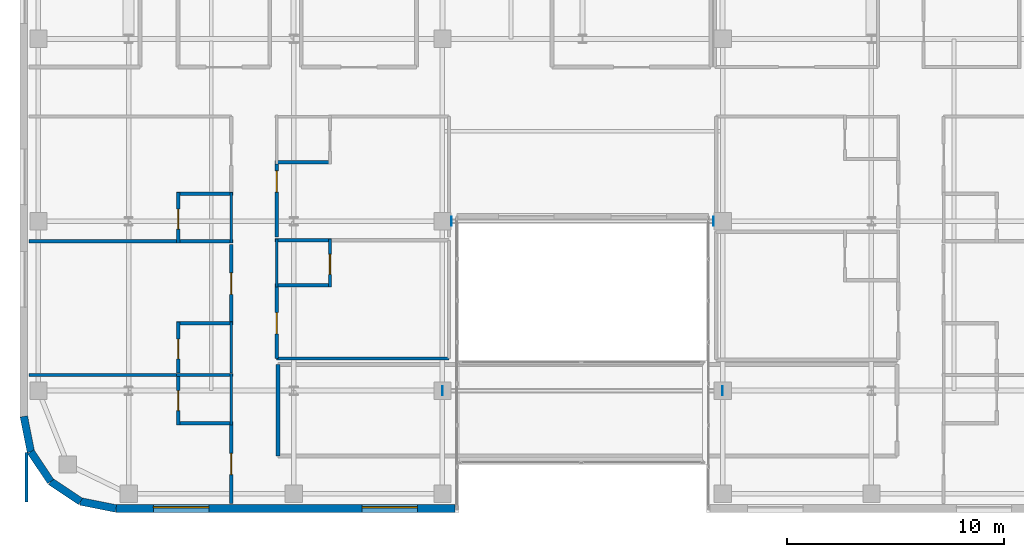
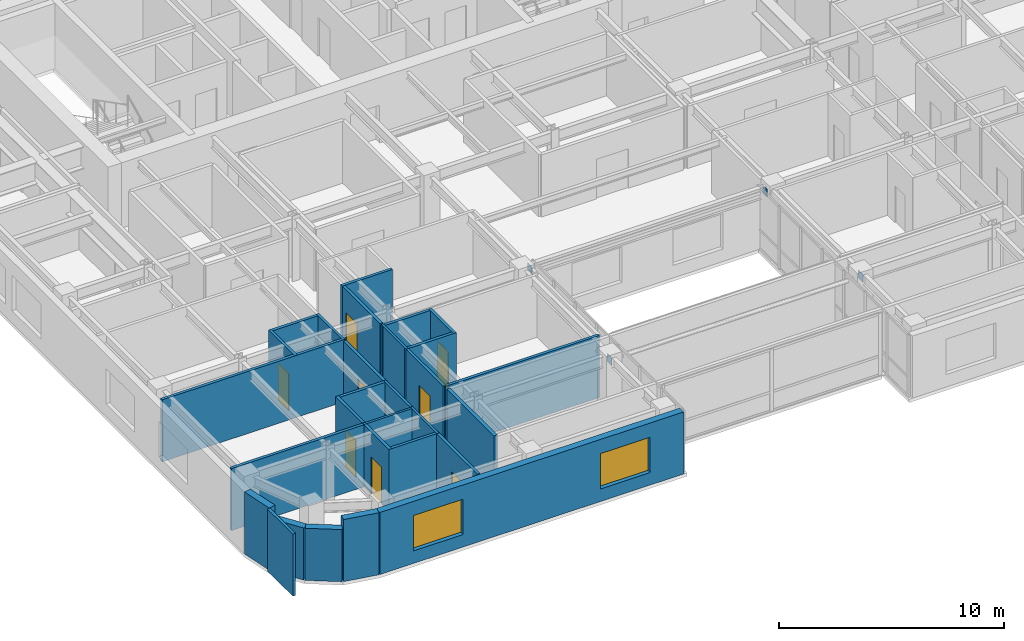
# One storey, part 13 of 20: 29 walls, 8 doors, 4 plates, 2 windows, 10 openings.
"""IFC4 building model written with IfcOpenShell, lengths in metres."""

from ifc_helpers import new_model, si_unit, direction, frame, frame_2d, origin, origin_2d, place, context, subcontext, project, spatial, rectangle, extrude, source, transform, mapped, material, layer, layer_set, type_object, type_shapes, element, fill, save


model = new_model("IFC4")

# Units and contexts
model_context = context("Model", 3, precision=1e-05, world=origin(), true_north=direction((0.0, 1.0)))
body_context = subcontext(model_context, "Body", "Model", "MODEL_VIEW")
ifc_project = project(units=[si_unit("LENGTHUNIT", "METRE"), si_unit("AREAUNIT", "SQUARE_METRE"), si_unit("VOLUMEUNIT", "CUBIC_METRE"), si_unit("PLANEANGLEUNIT", "RADIAN"), si_unit("MASSUNIT", "GRAM", prefix="KILO")], contexts=[model_context])

# Site, building, storey
site_placement = place(None, origin())
site = spatial("IfcSite", under=ifc_project, at=site_placement, CompositionType="ELEMENT")
building_placement = place(site_placement, origin())
building = spatial("IfcBuilding", under=site, at=building_placement, Name="Tolvann Quenvar Hotel", CompositionType="ELEMENT")
storey_placement = place(building_placement, frame((0.0, 0.0, 171.89990234375)))
storey = spatial("IfcBuildingStorey", under=building, at=storey_placement, Name="L45", CompositionType="ELEMENT", Elevation=171.89990234375)

# Plates
ifc_material_1 = material(Name="Steel Grade 350", Category="steel")
ifc_layer_1 = layer(ifc_material_1, 0.02490234375)
ifc_layer_set_1 = layer_set([ifc_layer_1], Name="Steel Grade 350")
plate_type = type_object("IfcPlateType", Name="PLT_ENDCAP_25", PredefinedType="SHEET", material=ifc_layer_set_1)
shared_shape_1 = source(origin(), body_context, "Body", "SweptSolid", [
    extrude(rectangle(XDim=0.02490234375, YDim=0.419921875, at=origin_2d()), origin(), (0.0, 0.0, 1.0), 0.419921875),
])
type_shapes(plate_type, [shared_shape_1])
for number, where, z_axis, x_axis, name in (
    (1, (22.050048828125, 8.199951171875, 2.81005859375), (0.0, 0.0, 1.0), (1.0, 0.0, 0.0), "Skybridge Tie End Plate EC-1 (L45-1)"),
    (2, (22.465087890625, 16.0, 2.860107421875), (0.0, 0.0, 1.0), (1.0, 0.0, 0.0), "Atrium Girt End Plate EC-1 (L45-1)"),
    (3, (34.949951171875, 8.199951171875, 2.81005859375), (0.0, 0.0, 1.0), (1.0, 0.0, 0.0), "Skybridge Tie End Plate EC-1 (L45-2)"),
    (4, (34.534912109375, 16.0, 2.860107421875), (0.0, 0.0, 1.0), (1.0, 0.0, 0.0), "Atrium Girt End Plate EC-1 (L45-2)"),
):
    element("IfcPlate", number, at=place(storey_placement, frame(where, z_axis=z_axis, x_axis=x_axis)), inside=storey, type_object=plate_type, Name=name, PredefinedType="SHEET", context=body_context, shape_type="MappedRepresentation", body=[
        mapped(shared_shape_1, transform((0.0, 0.0, 0.0), x_axis=(1.0, 0.0, 0.0), y_axis=(0.0, 1.0, 0.0), z_axis=(0.0, 0.0, 1.0), scale=1.0)),
    ])

# Walls
ifc_material_2 = material(Name="Kiln-fired red and buff architectural clay brickwork and terracotta masonry", Category="masonry")
ifc_layer_2 = layer(ifc_material_2, 0.35009765625)
ifc_layer_set_2 = layer_set([ifc_layer_2], Name="Kiln-fired red and buff architectural clay brickwork and terracotta masonry")
wall_type_1 = type_object("IfcWallType", Name="WALL_EXT_BRICK_350", PredefinedType="SOLIDWALL", material=ifc_layer_set_2)
for number, where, z_axis, x_axis, name in (
    (5, (3.099609375, 5.384521484375, 0.0), (0.0, 0.0, 1.0), (0.555623290322, -0.831434158098, 0.0), "Exterior Chicago Brick Wall L45-E01"),
    (6, (4.014892578125, 4.014892578125, 0.0), (0.0, 0.0, 1.0), (0.831434158098, -0.555623290322, 0.0), "Exterior Chicago Brick Wall L45-E02"),
):
    element("IfcWall", number, at=place(storey_placement, frame(where, z_axis=z_axis, x_axis=x_axis)), inside=storey, type_object=wall_type_1, Name=name, PredefinedType="SOLIDWALL", context=body_context, shape_type="SweptSolid", body=[
        extrude(rectangle(XDim=1.647216796875, YDim=0.35009765625, at=frame_2d((0.82373046875, 0.0))), origin(), (0.0, 0.0, 1.0), 2.83203125),
    ])
wall_1_placement = place(storey_placement, frame((5.384521484375, 3.099609375, 0.0), z_axis=(0.0, 0.0, 1.0), x_axis=(0.980788844421, -0.195072403631, 0.0)))
element("IfcWall", 7, at=wall_1_placement, inside=storey, type_object=wall_type_1, Name="Exterior Chicago Brick Wall L45-E03", PredefinedType="SOLIDWALL", context=body_context, shape_type="SweptSolid", body=[
    extrude(rectangle(XDim=1.66455078125, YDim=0.35009765625, at=frame_2d((0.832275390625, 0.0))), origin(), (0.0, 0.0, 1.0), 3.3701171875),
])

# Wall, openings, windows
wall_2_placement = place(storey_placement, frame((7.01708984375, 2.77490234375, 0.0), z_axis=(0.0, 0.0, 1.0), x_axis=(1.0, 0.0, 0.0)))
wall_2 = element("IfcWall", 8, at=wall_2_placement, inside=storey, type_object=wall_type_1, Name="Exterior Chicago Brick Wall L45-E04", PredefinedType="SOLIDWALL", context=body_context, shape_type="SweptSolid", body=[
    extrude(rectangle(XDim=15.60791015625, YDim=0.35009765625, at=frame_2d((7.803955078125, 0.0))), origin(), (0.0, 0.0, 1.0), 3.3701171875),
])
opening_1_placement = place(wall_2_placement, frame((1.72607421875, 0.0, 0.679931640625)))
opening_1 = element("IfcOpeningElement", 9, at=opening_1_placement, cuts=wall_2, Name="Opening W-09", PredefinedType="OPENING", context=body_context, shape_type="SweptSolid", body=[
    extrude(rectangle(XDim=2.550048828125, YDim=1.919921875, at=frame_2d((1.27490234375, 0.9599609375))), frame((0.0, 0.18505859375, 0.0), z_axis=(0.0, -1.0, 0.0), x_axis=(1.0, 0.0, 0.0)), (0.0, 0.0, 1.0), 0.3701171875),
])
opening_2_placement = place(wall_2_placement, frame((11.33203125, 0.0, 0.679931640625)))
opening_2 = element("IfcOpeningElement", 10, at=opening_2_placement, cuts=wall_2, Name="Opening W-09", PredefinedType="OPENING", context=body_context, shape_type="SweptSolid", body=[
    extrude(rectangle(XDim=2.550048828125, YDim=1.919921875, at=frame_2d((1.27490234375, 0.9599609375))), frame((0.0, 0.18505859375, 0.0), z_axis=(0.0, -1.0, 0.0), x_axis=(1.0, 0.0, 0.0)), (0.0, 0.0, 1.0), 0.3701171875),
])
ifc_material_3 = material(Name="Thermally broken bronze-anodised aluminium frame with double low-E glazing", Category="aluminium")
window_type = type_object("IfcWindowType", Name="WIN_LNG_2550x1950", PartitioningType="TRIPLE_PANEL_HORIZONTAL", PredefinedType="WINDOW", material=ifc_material_3)
shared_shape_2 = source(origin(), body_context, "Body", "SweptSolid", [
    extrude(rectangle(XDim=2.550048828125, YDim=1.919921875, at=frame_2d((1.27490234375, 0.9599609375))), frame((0.0, 0.090087890625, 0.0), z_axis=(0.0, -1.0, 0.0), x_axis=(1.0, 0.0, 0.0)), (0.0, 0.0, 1.0), 0.06005859375),
])
type_shapes(window_type, [shared_shape_2])
window_1_placement = place(opening_1_placement, origin())
window_1 = element("IfcWindow", 11, at=window_1_placement, inside=storey, type_object=window_type, Name="Chicago Window W-09 (EW-L45-E04-W01)", OverallHeight=1.919921875, OverallWidth=2.550048828125, PartitioningType="TRIPLE_PANEL_HORIZONTAL", PredefinedType="WINDOW", context=body_context, shape_type="MappedRepresentation", body=[
    mapped(shared_shape_2, transform((0.0, 0.0, 0.0), x_axis=(1.0, 0.0, 0.0), y_axis=(0.0, 1.0, 0.0), z_axis=(0.0, 0.0, 1.0), scale=1.0)),
])
fill(opening_1, window_1)
window_2_placement = place(opening_2_placement, origin())
window_2 = element("IfcWindow", 12, at=window_2_placement, inside=storey, type_object=window_type, Name="Chicago Window W-09 (EW-L45-E04-W02)", OverallHeight=1.919921875, OverallWidth=2.550048828125, PartitioningType="TRIPLE_PANEL_HORIZONTAL", PredefinedType="WINDOW", context=body_context, shape_type="MappedRepresentation", body=[
    mapped(shared_shape_2, transform((0.0, 0.0, 0.0), x_axis=(1.0, 0.0, 0.0), y_axis=(0.0, 1.0, 0.0), z_axis=(0.0, 0.0, 1.0), scale=1.0)),
])
fill(opening_2, window_2)

# Walls
wall_3_placement = place(storey_placement, frame((2.77490234375, 7.01708984375, 0.0), z_axis=(0.0, 0.0, 1.0), x_axis=(0.195072403631, -0.980788844421, 0.0)))
element("IfcWall", 13, at=wall_3_placement, inside=storey, type_object=wall_type_1, Name="Exterior Chicago Brick Wall L45-E24", PredefinedType="SOLIDWALL", context=body_context, shape_type="SweptSolid", body=[
    extrude(rectangle(XDim=1.66455078125, YDim=0.35009765625, at=frame_2d((0.832275390625, 0.0))), origin(), (0.0, 0.0, 1.0), 3.3701171875),
])
ifc_material_4 = material(Name="Acoustic twin-stud fire-rated gypsum plasterboard partition")
ifc_layer_3 = layer(ifc_material_4, 0.179931640625)
ifc_layer_set_3 = layer_set([ifc_layer_3], Name="Acoustic twin-stud fire-rated gypsum plasterboard partition")
wall_type_2 = type_object("IfcWallType", Name="WALL_PART_ACOUSTIC_180", PredefinedType="PARTITIONING", material=ifc_layer_set_3)
wall_4_placement = place(storey_placement, frame((14.469970703125, 5.199951171875, 0.0), z_axis=(0.0, 0.0, 1.0), x_axis=(0.0, 1.0, 0.0)))
element("IfcWall", 14, at=wall_4_placement, inside=storey, type_object=wall_type_2, Name="Interior Partition PT-SPC-L45-BRG-W", PredefinedType="PARTITIONING", context=body_context, shape_type="SweptSolid", body=[
    extrude(rectangle(XDim=4.199951171875, YDim=0.179931640625, at=frame_2d((2.10009765625, 0.0))), origin(), (0.0, 0.0, 1.0), 3.3701171875),
])
ifc_material_5 = material(Name="Moisture-resistant acoustic plumbing wall assembly")
ifc_layer_4 = layer(ifc_material_5, 0.1201171875)
ifc_layer_set_4 = layer_set([ifc_layer_4], Name="Moisture-resistant acoustic plumbing wall assembly")
wall_type_3 = type_object("IfcWallType", Name="WALL_PART_BATH_120", PredefinedType="PLUMBINGWALL", material=ifc_layer_set_4)
wall_5_placement = place(storey_placement, frame((9.81005859375, 8.919921875, 0.0), z_axis=(0.0, 0.0, 1.0), x_axis=(1.0, 0.0, 0.0)))
element("IfcWall", 15, at=wall_5_placement, inside=storey, type_object=wall_type_3, Name="Non-Rated Plumbing Partition PT-SPC-L45-ENS-WO01-N", PredefinedType="PLUMBINGWALL", context=body_context, shape_type="SweptSolid", body=[
    extrude(rectangle(XDim=2.58984375, YDim=0.1201171875, at=frame_2d((1.294921875, 0.0))), origin(), (0.0, 0.0, 1.0), 3.3701171875),
])
for number, where, z_axis, x_axis, name in (
    (16, (12.330078125, 6.631103515625, 0.0), (0.0, 0.0, 1.0), (0.0, 1.0, 0.0), "Non-Rated Plumbing Partition PT-SPC-L45-ENS-WO01-E"),
    (17, (12.330078125, 9.010009765625, 0.0), (0.0, 0.0, 1.0), (0.0, 1.0, 0.0), "Non-Rated Plumbing Partition PT-SPC-L45-ENS-WO02-E"),
):
    element("IfcWall", number, at=place(storey_placement, frame(where, z_axis=z_axis, x_axis=x_axis)), inside=storey, type_object=wall_type_3, Name=name, PredefinedType="PLUMBINGWALL", context=body_context, shape_type="SweptSolid", body=[
        extrude(rectangle(XDim=2.35888671875, YDim=0.1201171875, at=frame_2d((1.179443359375, 0.0))), origin(), (0.0, 0.0, 1.0), 3.3701171875),
    ])
wall_6_placement = place(storey_placement, frame((12.330078125, 15.010009765625, 0.0), z_axis=(0.0, 0.0, 1.0), x_axis=(0.0, 1.0, 0.0)))
element("IfcWall", 18, at=wall_6_placement, inside=storey, type_object=wall_type_3, Name="Non-Rated Plumbing Partition PT-SPC-L45-ENS-WO03-E", PredefinedType="PLUMBINGWALL", context=body_context, shape_type="SweptSolid", body=[
    extrude(rectangle(XDim=2.321044921875, YDim=0.1201171875, at=frame_2d((1.16064453125, 0.0))), origin(), (0.0, 0.0, 1.0), 3.3701171875),
])
wall_7_placement = place(storey_placement, frame((14.419921875, 12.98291015625, 0.0), z_axis=(0.0, 0.0, 1.0), x_axis=(0.0, 1.0, 0.0)))
element("IfcWall", 19, at=wall_7_placement, inside=storey, type_object=wall_type_3, Name="Non-Rated Plumbing Partition PT-SPC-L45-ENS-WI01-W", PredefinedType="PLUMBINGWALL", context=body_context, shape_type="SweptSolid", body=[
    extrude(rectangle(XDim=2.20703125, YDim=0.1201171875, at=frame_2d((1.103515625, 0.0))), origin(), (0.0, 0.0, 1.0), 3.3701171875),
])

# Wall, opening, door
ifc_layer_5 = layer(ifc_material_4, 0.14990234375)
ifc_layer_set_5 = layer_set([ifc_layer_5], Name="Acoustic twin-stud fire-rated gypsum plasterboard partition")
wall_type_4 = type_object("IfcWallType", Name="WALL_PART_SUITE_150", PredefinedType="PARTITIONING", material=ifc_layer_set_5)
wall_8_placement = place(storey_placement, frame((9.8798828125, 6.631103515625, 0.0), z_axis=(0.0, 0.0, 1.0), x_axis=(0.0, 1.0, 0.0)))
wall_8 = element("IfcWall", 20, at=wall_8_placement, inside=storey, type_object=wall_type_4, Name="Interior Partition PT-SPC-L45-ENS-WO01-ENT", PredefinedType="PARTITIONING", context=body_context, shape_type="SweptSolid", body=[
    extrude(rectangle(XDim=2.35888671875, YDim=0.14990234375, at=frame_2d((1.179443359375, 0.0))), origin(), (0.0, 0.0, 1.0), 3.3701171875),
])
opening_3_placement = place(wall_8_placement, frame((0.6494140625, 0.0, 0.0)))
opening_3 = element("IfcOpeningElement", 21, at=opening_3_placement, cuts=wall_8, Name="Opening WD-01", PredefinedType="OPENING", context=body_context, shape_type="SweptSolid", body=[
    extrude(rectangle(XDim=0.919921875, YDim=2.010009765625, at=frame_2d((0.4599609375, 1.0048828125))), frame((0.0, 0.0849609375, 0.0), z_axis=(0.0, -1.0, 0.0), x_axis=(1.0, 0.0, 0.0)), (0.0, 0.0, 1.0), 0.169921875),
])
ifc_material_6 = material(Name="Solid-core American oak acoustic fire door leaf in steel frame", Category="steel")
door_type_1 = type_object("IfcDoorType", Name="DOOR_WC_920", OperationType="NOTDEFINED", PredefinedType="DOOR", material=ifc_material_6)
shared_shape_3 = source(origin(), body_context, "Body", "SweptSolid", [
    extrude(rectangle(XDim=0.919921875, YDim=2.010009765625, at=frame_2d((0.4599609375, 1.0048828125))), frame((0.0, 0.02490234375, 0.0), z_axis=(0.0, -1.0, 0.0), x_axis=(1.0, 0.0, 0.0)), (0.0, 0.0, 1.0), 0.050048828125),
])
type_shapes(door_type_1, [shared_shape_3])
door_1_placement = place(opening_3_placement, origin())
door_1 = element("IfcDoor", 22, at=door_1_placement, inside=storey, type_object=door_type_1, Name="Interior Door DOOR-SPC-L45-ENS-WO01", OperationType="SINGLE_SWING_RIGHT", OverallHeight=2.010009765625, OverallWidth=0.919921875, PredefinedType="DOOR", context=body_context, shape_type="MappedRepresentation", body=[
    mapped(shared_shape_3, transform((0.0, 0.0, 0.0), x_axis=(1.0, 0.0, 0.0), y_axis=(0.0, 1.0, 0.0), z_axis=(0.0, 0.0, 1.0), scale=1.0)),
])
fill(opening_3, door_1)

# Wall
wall_9_placement = place(storey_placement, frame((9.81005859375, 6.700927734375, 0.0), z_axis=(0.0, 0.0, 1.0), x_axis=(1.0, 0.0, 0.0)))
element("IfcWall", 23, at=wall_9_placement, inside=storey, type_object=wall_type_4, Name="Interior Partition PT-SPC-L45-ENS-WO01-S", PredefinedType="PARTITIONING", context=body_context, shape_type="SweptSolid", body=[
    extrude(rectangle(XDim=2.58984375, YDim=0.14990234375, at=frame_2d((1.294921875, 0.0))), origin(), (0.0, 0.0, 1.0), 3.3701171875),
])

# Wall, opening, door
wall_10_placement = place(storey_placement, frame((9.8798828125, 9.010009765625, 0.0), z_axis=(0.0, 0.0, 1.0), x_axis=(0.0, 1.0, 0.0)))
wall_10 = element("IfcWall", 24, at=wall_10_placement, inside=storey, type_object=wall_type_4, Name="Interior Partition PT-SPC-L45-ENS-WO02-ENT", PredefinedType="PARTITIONING", context=body_context, shape_type="SweptSolid", body=[
    extrude(rectangle(XDim=2.35888671875, YDim=0.14990234375, at=frame_2d((1.179443359375, 0.0))), origin(), (0.0, 0.0, 1.0), 3.3701171875),
])
opening_4_placement = place(wall_10_placement, frame((0.6494140625, 0.0, 0.0)))
opening_4 = element("IfcOpeningElement", 25, at=opening_4_placement, cuts=wall_10, Name="Opening WD-01", PredefinedType="OPENING", context=body_context, shape_type="SweptSolid", body=[
    extrude(rectangle(XDim=0.919921875, YDim=2.010009765625, at=frame_2d((0.4599609375, 1.0048828125))), frame((0.0, 0.0849609375, 0.0), z_axis=(0.0, -1.0, 0.0), x_axis=(1.0, 0.0, 0.0)), (0.0, 0.0, 1.0), 0.169921875),
])
door_2_placement = place(opening_4_placement, origin())
door_2 = element("IfcDoor", 26, at=door_2_placement, inside=storey, type_object=door_type_1, Name="Interior Door DOOR-SPC-L45-ENS-WO02", OperationType="SINGLE_SWING_LEFT", OverallHeight=2.010009765625, OverallWidth=0.919921875, PredefinedType="DOOR", context=body_context, shape_type="MappedRepresentation", body=[
    mapped(shared_shape_3, transform((0.0, 0.0, 0.0), x_axis=(1.0, 0.0, 0.0), y_axis=(0.0, 1.0, 0.0), z_axis=(0.0, 0.0, 1.0), scale=1.0)),
])
fill(opening_4, door_2)

# Wall
wall_11_placement = place(storey_placement, frame((9.81005859375, 11.299072265625, 0.0), z_axis=(0.0, 0.0, 1.0), x_axis=(1.0, 0.0, 0.0)))
element("IfcWall", 27, at=wall_11_placement, inside=storey, type_object=wall_type_4, Name="Interior Partition PT-SPC-L45-ENS-WO02-N", PredefinedType="PARTITIONING", context=body_context, shape_type="SweptSolid", body=[
    extrude(rectangle(XDim=2.58984375, YDim=0.14990234375, at=frame_2d((1.294921875, 0.0))), origin(), (0.0, 0.0, 1.0), 3.3701171875),
])

# Wall, opening, door
wall_12_placement = place(storey_placement, frame((9.8798828125, 15.010009765625, 0.0), z_axis=(0.0, 0.0, 1.0), x_axis=(0.0, 1.0, 0.0)))
wall_12 = element("IfcWall", 28, at=wall_12_placement, inside=storey, type_object=wall_type_4, Name="Interior Partition PT-SPC-L45-ENS-WO03-ENT", PredefinedType="PARTITIONING", context=body_context, shape_type="SweptSolid", body=[
    extrude(rectangle(XDim=2.321044921875, YDim=0.14990234375, at=frame_2d((1.16064453125, 0.0))), origin(), (0.0, 0.0, 1.0), 3.3701171875),
])
opening_5_placement = place(wall_12_placement, frame((0.630615234375, 0.0, 0.0)))
opening_5 = element("IfcOpeningElement", 29, at=opening_5_placement, cuts=wall_12, Name="Opening WD-01", PredefinedType="OPENING", context=body_context, shape_type="SweptSolid", body=[
    extrude(rectangle(XDim=0.919921875, YDim=2.010009765625, at=frame_2d((0.4599609375, 1.0048828125))), frame((0.0, 0.0849609375, 0.0), z_axis=(0.0, -1.0, 0.0), x_axis=(1.0, 0.0, 0.0)), (0.0, 0.0, 1.0), 0.169921875),
])
door_3_placement = place(opening_5_placement, origin())
door_3 = element("IfcDoor", 30, at=door_3_placement, inside=storey, type_object=door_type_1, Name="Interior Door DOOR-SPC-L45-ENS-WO03", OperationType="SINGLE_SWING_RIGHT", OverallHeight=2.010009765625, OverallWidth=0.919921875, PredefinedType="DOOR", context=body_context, shape_type="MappedRepresentation", body=[
    mapped(shared_shape_3, transform((0.0, 0.0, 0.0), x_axis=(1.0, 0.0, 0.0), y_axis=(0.0, 1.0, 0.0), z_axis=(0.0, 0.0, 1.0), scale=1.0)),
])
fill(opening_5, door_3)

# Walls
wall_13_placement = place(storey_placement, frame((3.0048828125, 15.080078125, 0.0), z_axis=(0.0, 0.0, 1.0), x_axis=(1.0, 0.0, 0.0)))
element("IfcWall", 31, at=wall_13_placement, inside=storey, type_object=wall_type_4, Name="Interior Partition PT-SPC-L45-ENS-WO03-S", PredefinedType="PARTITIONING", context=body_context, shape_type="SweptSolid", body=[
    extrude(rectangle(XDim=9.39501953125, YDim=0.14990234375, at=frame_2d((4.697509765625, 0.0))), origin(), (0.0, 0.0, 1.0), 3.3701171875),
])
wall_14_placement = place(storey_placement, frame((9.81005859375, 17.260986328125, 0.0), z_axis=(0.0, 0.0, 1.0), x_axis=(1.0, 0.0, 0.0)))
element("IfcWall", 32, at=wall_14_placement, inside=storey, type_object=wall_type_4, Name="Interior Partition PT-SPC-L45-ENS-WO03-N", PredefinedType="PARTITIONING", context=body_context, shape_type="SweptSolid", body=[
    extrude(rectangle(XDim=2.58984375, YDim=0.14990234375, at=frame_2d((1.294921875, 0.0))), origin(), (0.0, 0.0, 1.0), 3.3701171875),
])

# Wall, opening, door
wall_15_placement = place(storey_placement, frame((16.8701171875, 12.98291015625, 0.0), z_axis=(0.0, 0.0, 1.0), x_axis=(0.0, 1.0, 0.0)))
wall_15 = element("IfcWall", 33, at=wall_15_placement, inside=storey, type_object=wall_type_4, Name="Interior Partition PT-SPC-L45-ENS-WI01-ENT", PredefinedType="PARTITIONING", context=body_context, shape_type="SweptSolid", body=[
    extrude(rectangle(XDim=2.20703125, YDim=0.14990234375, at=frame_2d((1.103515625, 0.0))), origin(), (0.0, 0.0, 1.0), 3.3701171875),
])
opening_6_placement = place(wall_15_placement, frame((0.573486328125, 0.0, 0.0)))
opening_6 = element("IfcOpeningElement", 34, at=opening_6_placement, cuts=wall_15, Name="Opening WD-01", PredefinedType="OPENING", context=body_context, shape_type="SweptSolid", body=[
    extrude(rectangle(XDim=0.919921875, YDim=2.010009765625, at=frame_2d((0.4599609375, 1.0048828125))), frame((0.0, 0.0849609375, 0.0), z_axis=(0.0, -1.0, 0.0), x_axis=(1.0, 0.0, 0.0)), (0.0, 0.0, 1.0), 0.169921875),
])
door_4_placement = place(opening_6_placement, origin())
door_4 = element("IfcDoor", 35, at=door_4_placement, inside=storey, type_object=door_type_1, Name="Interior Door DOOR-SPC-L45-ENS-WI01", OperationType="SINGLE_SWING_LEFT", OverallHeight=2.010009765625, OverallWidth=0.919921875, PredefinedType="DOOR", context=body_context, shape_type="MappedRepresentation", body=[
    mapped(shared_shape_3, transform((0.0, 0.0, 0.0), x_axis=(1.0, 0.0, 0.0), y_axis=(0.0, 1.0, 0.0), z_axis=(0.0, 0.0, 1.0), scale=1.0)),
])
fill(opening_6, door_4)

# Walls
for number, where, z_axis, x_axis, name in (
    (36, (14.35009765625, 13.052978515625, 0.0), (0.0, 0.0, 1.0), (1.0, 0.0, 0.0), "Interior Partition PT-SPC-L45-ENS-WI01-S"),
    (37, (14.35009765625, 15.1201171875, 0.0), (0.0, 0.0, 1.0), (1.0, 0.0, 0.0), "Interior Partition PT-SPC-L45-ENS-WI01-N"),
    (38, (14.35009765625, 18.715087890625, 0.0), (0.0, 0.0, 1.0), (1.0, 0.0, 0.0), "Interior Partition PT-SPC-L45-ENS-WI02-S"),
):
    element("IfcWall", number, at=place(storey_placement, frame(where, z_axis=z_axis, x_axis=x_axis)), inside=storey, type_object=wall_type_4, Name=name, PredefinedType="PARTITIONING", context=body_context, shape_type="SweptSolid", body=[
        extrude(rectangle(XDim=2.58984375, YDim=0.14990234375, at=frame_2d((1.294921875, 0.0))), origin(), (0.0, 0.0, 1.0), 3.3701171875),
    ])

# Wall, opening, door
wall_16_placement = place(storey_placement, frame((12.330078125, 3.0048828125, 0.0), z_axis=(0.0, 0.0, 1.0), x_axis=(0.0, 1.0, 0.0)))
wall_16 = element("IfcWall", 39, at=wall_16_placement, inside=storey, type_object=wall_type_4, Name="Interior Partition PT-SPC-L45-RM-WO01-ENT", PredefinedType="PARTITIONING", context=body_context, shape_type="SweptSolid", body=[
    extrude(rectangle(XDim=3.6162109375, YDim=0.14990234375, at=frame_2d((1.80810546875, 0.0))), origin(), (0.0, 0.0, 1.0), 3.3701171875),
])
opening_7_placement = place(wall_16_placement, frame((1.325439453125, 0.0, 0.0)))
opening_7 = element("IfcOpeningElement", 40, at=opening_7_placement, cuts=wall_16, Name="Opening SD-01", PredefinedType="OPENING", context=body_context, shape_type="SweptSolid", body=[
    extrude(rectangle(XDim=0.97998046875, YDim=2.1201171875, at=frame_2d((0.489990234375, 1.06005859375))), frame((0.0, 0.0849609375, 0.0), z_axis=(0.0, -1.0, 0.0), x_axis=(1.0, 0.0, 0.0)), (0.0, 0.0, 1.0), 0.169921875),
])
door_type_2 = type_object("IfcDoorType", Name="DOOR_SUITE_980", OperationType="NOTDEFINED", PredefinedType="DOOR", material=ifc_material_6)
shared_shape_4 = source(origin(), body_context, "Body", "SweptSolid", [
    extrude(rectangle(XDim=0.97998046875, YDim=2.1201171875, at=frame_2d((0.489990234375, 1.06005859375))), frame((0.0, 0.02490234375, 0.0), z_axis=(0.0, -1.0, 0.0), x_axis=(1.0, 0.0, 0.0)), (0.0, 0.0, 1.0), 0.050048828125),
])
type_shapes(door_type_2, [shared_shape_4])
door_5_placement = place(opening_7_placement, origin())
door_5 = element("IfcDoor", 41, at=door_5_placement, inside=storey, type_object=door_type_2, Name="Interior Door DOOR-SPC-L45-RM-WO01", OperationType="SINGLE_SWING_LEFT", OverallHeight=2.1201171875, OverallWidth=0.97998046875, PredefinedType="DOOR", context=body_context, shape_type="MappedRepresentation", body=[
    mapped(shared_shape_4, transform((0.0, 0.0, 0.0), x_axis=(1.0, 0.0, 0.0), y_axis=(0.0, 1.0, 0.0), z_axis=(0.0, 0.0, 1.0), scale=1.0)),
])
fill(opening_7, door_5)

# Walls
wall_17_placement = place(storey_placement, frame((3.0048828125, 8.919921875, 0.0), z_axis=(0.0, 0.0, 1.0), x_axis=(1.0, 0.0, 0.0)))
element("IfcWall", 42, at=wall_17_placement, inside=storey, type_object=wall_type_4, Name="Interior Partition PT-SPC-L45-RM-WO01-E5", PredefinedType="PARTITIONING", context=body_context, shape_type="SweptSolid", body=[
    extrude(rectangle(XDim=6.855224609375, YDim=0.14990234375, at=frame_2d((3.427734375, 0.0))), origin(), (0.0, 0.0, 1.0), 3.3701171875),
])
wall_18_placement = place(storey_placement, frame((2.89990234375, 3.080078125, 0.0), z_axis=(0.0, 0.0, 1.0), x_axis=(0.0, 1.0, 0.0)))
element("IfcWall", 43, at=wall_18_placement, inside=storey, type_object=wall_type_4, Name="Interior Partition PT-SPC-L45-RM-WO01-E6", PredefinedType="PARTITIONING", context=body_context, shape_type="SweptSolid", body=[
    extrude(rectangle(XDim=2.264892578125, YDim=0.14990234375, at=frame_2d((1.13232421875, 0.0))), origin(), (0.0, 0.0, 1.0), 3.3701171875),
])

# Wall, opening, door
wall_19_placement = place(storey_placement, frame((12.330078125, 11.37890625, 0.0), z_axis=(0.0, 0.0, 1.0), x_axis=(0.0, 1.0, 0.0)))
wall_19 = element("IfcWall", 44, at=wall_19_placement, inside=storey, type_object=wall_type_4, Name="Interior Partition PT-SPC-L45-RM-WO02-ENT", PredefinedType="PARTITIONING", context=body_context, shape_type="SweptSolid", body=[
    extrude(rectangle(XDim=3.541015625, YDim=0.14990234375, at=frame_2d((1.7705078125, 0.0))), origin(), (0.0, 0.0, 1.0), 3.3701171875),
])
opening_8_placement = place(wall_19_placement, frame((1.260498046875, 0.0, 0.0)))
opening_8 = element("IfcOpeningElement", 45, at=opening_8_placement, cuts=wall_19, Name="Opening SD-01", PredefinedType="OPENING", context=body_context, shape_type="SweptSolid", body=[
    extrude(rectangle(XDim=0.97998046875, YDim=2.1201171875, at=frame_2d((0.489990234375, 1.06005859375))), frame((0.0, 0.0849609375, 0.0), z_axis=(0.0, -1.0, 0.0), x_axis=(1.0, 0.0, 0.0)), (0.0, 0.0, 1.0), 0.169921875),
])
door_6_placement = place(opening_8_placement, origin())
door_6 = element("IfcDoor", 46, at=door_6_placement, inside=storey, type_object=door_type_2, Name="Interior Door DOOR-SPC-L45-RM-WO02", OperationType="SINGLE_SWING_RIGHT", OverallHeight=2.1201171875, OverallWidth=0.97998046875, PredefinedType="DOOR", context=body_context, shape_type="MappedRepresentation", body=[
    mapped(shared_shape_4, transform((0.0, 0.0, 0.0), x_axis=(1.0, 0.0, 0.0), y_axis=(0.0, 1.0, 0.0), z_axis=(0.0, 0.0, 1.0), scale=1.0)),
])
fill(opening_8, door_6)

wall_20_placement = place(storey_placement, frame((14.419921875, 9.679931640625, 0.0), z_axis=(0.0, 0.0, 1.0), x_axis=(0.0, 1.0, 0.0)))
wall_20 = element("IfcWall", 47, at=wall_20_placement, inside=storey, type_object=wall_type_4, Name="Interior Partition PT-SPC-L45-RM-WI01-ENT", PredefinedType="PARTITIONING", context=body_context, shape_type="SweptSolid", body=[
    extrude(rectangle(XDim=3.29296875, YDim=0.14990234375, at=frame_2d((1.646484375, 0.0))), origin(), (0.0, 0.0, 1.0), 3.3701171875),
])
opening_9_placement = place(wall_20_placement, frame((1.136474609375, 0.0, 0.0)))
opening_9 = element("IfcOpeningElement", 48, at=opening_9_placement, cuts=wall_20, Name="Opening SD-01", PredefinedType="OPENING", context=body_context, shape_type="SweptSolid", body=[
    extrude(rectangle(XDim=0.97998046875, YDim=2.1201171875, at=frame_2d((0.489990234375, 1.06005859375))), frame((0.0, 0.0849609375, 0.0), z_axis=(0.0, -1.0, 0.0), x_axis=(1.0, 0.0, 0.0)), (0.0, 0.0, 1.0), 0.169921875),
])
door_7_placement = place(opening_9_placement, origin())
door_7 = element("IfcDoor", 49, at=door_7_placement, inside=storey, type_object=door_type_2, Name="Interior Door DOOR-SPC-L45-RM-WI01", OperationType="SINGLE_SWING_RIGHT", OverallHeight=2.1201171875, OverallWidth=0.97998046875, PredefinedType="DOOR", context=body_context, shape_type="MappedRepresentation", body=[
    mapped(shared_shape_4, transform((0.0, 0.0, 0.0), x_axis=(1.0, 0.0, 0.0), y_axis=(0.0, 1.0, 0.0), z_axis=(0.0, 0.0, 1.0), scale=1.0)),
])
fill(opening_9, door_7)

# Wall
wall_21_placement = place(storey_placement, frame((14.419921875, 9.679931640625, 0.0), z_axis=(0.0, 0.0, 1.0), x_axis=(1.0, 0.0, 0.0)))
element("IfcWall", 50, at=wall_21_placement, inside=storey, type_object=wall_type_4, Name="Interior Partition PT-SPC-L45-RM-WI01-E1", PredefinedType="PARTITIONING", context=body_context, shape_type="SweptSolid", body=[
    extrude(rectangle(XDim=7.93017578125, YDim=0.14990234375, at=frame_2d((3.965087890625, 0.0))), origin(), (0.0, 0.0, 1.0), 3.3701171875),
])

# Wall, opening, door
wall_22_placement = place(storey_placement, frame((14.419921875, 15.280029296875, 0.0), z_axis=(0.0, 0.0, 1.0), x_axis=(0.0, 1.0, 0.0)))
wall_22 = element("IfcWall", 51, at=wall_22_placement, inside=storey, type_object=wall_type_4, Name="Interior Partition PT-SPC-L45-RM-WI02-ENT", PredefinedType="PARTITIONING", context=body_context, shape_type="SweptSolid", body=[
    extrude(rectangle(XDim=3.35498046875, YDim=0.14990234375, at=frame_2d((1.677490234375, 0.0))), origin(), (0.0, 0.0, 1.0), 3.3701171875),
])
opening_10_placement = place(wall_22_placement, frame((2.06494140625, 0.0, 0.0)))
opening_10 = element("IfcOpeningElement", 52, at=opening_10_placement, cuts=wall_22, Name="Opening SD-01", PredefinedType="OPENING", context=body_context, shape_type="SweptSolid", body=[
    extrude(rectangle(XDim=0.97998046875, YDim=2.1201171875, at=frame_2d((0.489990234375, 1.06005859375))), frame((0.0, 0.0849609375, 0.0), z_axis=(0.0, -1.0, 0.0), x_axis=(1.0, 0.0, 0.0)), (0.0, 0.0, 1.0), 0.169921875),
])
door_8_placement = place(opening_10_placement, origin())
door_8 = element("IfcDoor", 53, at=door_8_placement, inside=storey, type_object=door_type_2, Name="Interior Door DOOR-SPC-L45-RM-WI02", OperationType="SINGLE_SWING_LEFT", OverallHeight=2.1201171875, OverallWidth=0.97998046875, PredefinedType="DOOR", context=body_context, shape_type="MappedRepresentation", body=[
    mapped(shared_shape_4, transform((0.0, 0.0, 0.0), x_axis=(1.0, 0.0, 0.0), y_axis=(0.0, 1.0, 0.0), z_axis=(0.0, 0.0, 1.0), scale=1.0)),
])
fill(opening_10, door_8)

save(model, "model.ifc")
